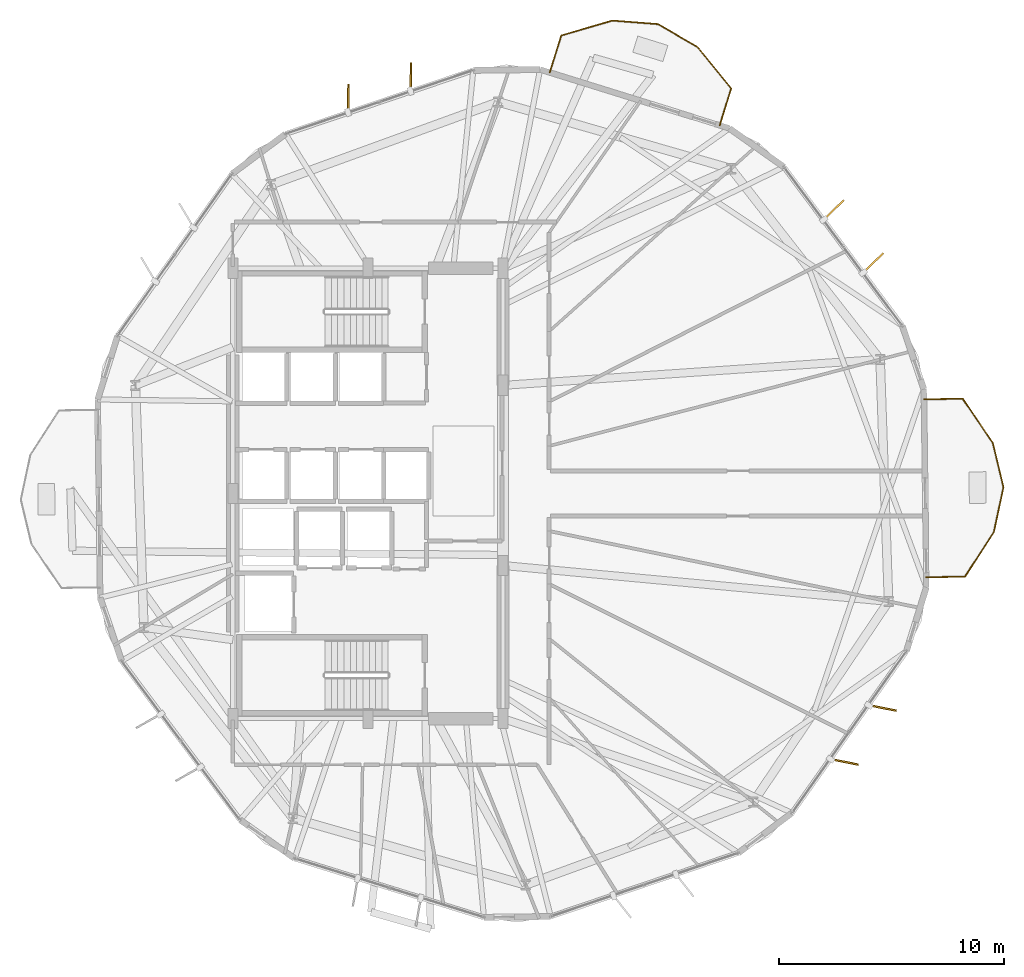
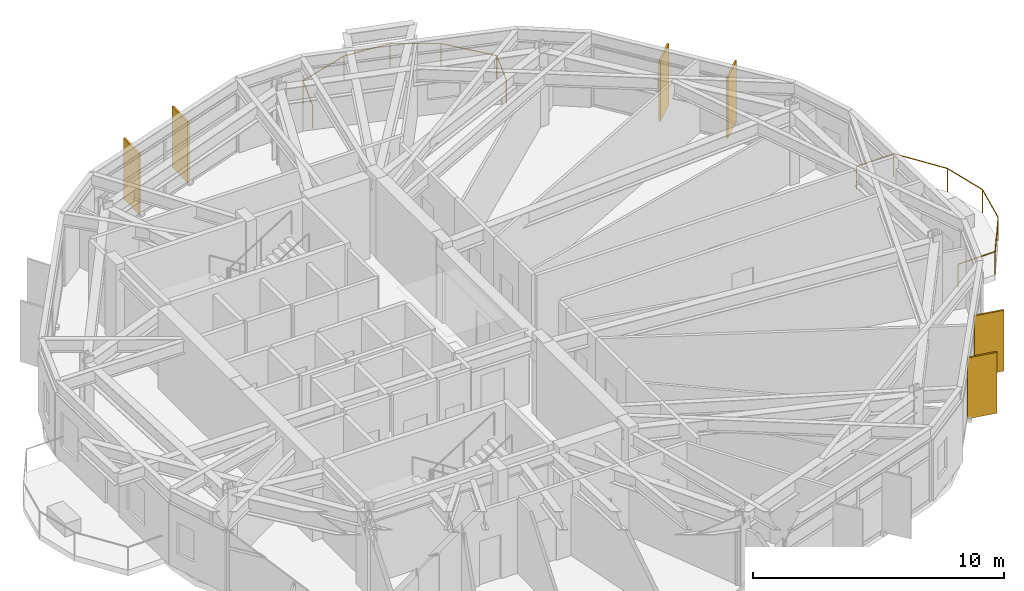
# One storey, part 25 of 25: 6 shading devices, 2 railings.
"""IFC4 building model written with IfcOpenShell, lengths in metres."""

from ifc_helpers import new_model, si_unit, direction, frame, origin, origin_2d, place, context, subcontext, project, spatial, rectangle, circle, extrude, material, layer, layer_set, type_object, element, save


model = new_model("IFC4")

# Units and contexts
model_context = context("Model", 3, precision=1e-05, world=origin(), true_north=direction((0.0, 1.0)))
body_context = subcontext(model_context, "Body", "Model", "MODEL_VIEW")
ifc_project = project(units=[si_unit("LENGTHUNIT", "METRE"), si_unit("AREAUNIT", "SQUARE_METRE"), si_unit("VOLUMEUNIT", "CUBIC_METRE"), si_unit("PLANEANGLEUNIT", "RADIAN"), si_unit("MASSUNIT", "GRAM", prefix="KILO")], contexts=[model_context])

# Site, building, storey
site_placement = place(None, origin())
site = spatial("IfcSite", under=ifc_project, at=site_placement, CompositionType="ELEMENT")
building_placement = place(site_placement, origin())
building = spatial("IfcBuilding", under=site, at=building_placement, Name="Soratama Intermodal Tower", CompositionType="ELEMENT")
storey_placement = place(building_placement, frame((0.0, 0.0, 106.89990234375)))
storey = spatial("IfcBuildingStorey", under=building, at=storey_placement, Name="L25", CompositionType="ELEMENT", Elevation=106.89990234375)

# Railings
ifc_material_1 = material(Name="Laminated glass and stainless steel balustrade", Category="steel")
railing_type = type_object("IfcRailingType", Name="RL-BAL-1150", PredefinedType="BALUSTRADE", material=ifc_material_1)
railing_1_placement = place(storey_placement, frame((63.30078125, 29.18359375, 0.0)))
element("IfcRailing", 1, at=railing_1_placement, inside=storey, type_object=railing_type, Name="L25 Balcony Balustrade 1", PredefinedType="BALUSTRADE", context=body_context, shape_type="SweptSolid", body=[
    extrude(circle(Radius=0.02392578125, at=origin_2d()), frame((0.0, 0.0, 1.1259765625), z_axis=(0.999921972836, 0.012491926975, 0.0), x_axis=(-0.012491926975, 0.999921972836, 0.0)), (0.0, 0.0, 1.0), 1.719970703125),
    extrude(circle(Radius=0.02392578125, at=origin_2d()), frame((1.7197265625, 0.021484375, 1.1259765625), z_axis=(0.563151558435, -0.826353630253, 0.0), x_axis=(0.826353630253, 0.563151558435, 0.0)), (0.0, 0.0, 1.0), 2.371826171875),
    extrude(circle(Radius=0.02392578125, at=origin_2d()), frame((3.055419921875, -1.9384765625, 1.1259765625), z_axis=(0.233796606619, -0.97228552737, 0.0), x_axis=(0.97228552737, 0.233796606619, 0.0)), (0.0, 0.0, 1.0), 2.02685546875),
    extrude(circle(Radius=0.02392578125, at=origin_2d()), frame((3.529296875, -3.9091796875, 1.1259765625), z_axis=(-0.209208289648, -0.977871101701, 0.0), x_axis=(0.977871101701, -0.209208289648, 0.0)), (0.0, 0.0, 1.0), 2.027099609375),
    extrude(circle(Radius=0.02392578125, at=origin_2d()), frame((3.105224609375, -5.891357421875, 1.1259765625), z_axis=(-0.542166727812, -0.840270932054, 0.0), x_axis=(0.840270932054, -0.542166727812, 0.0)), (0.0, 0.0, 1.0), 2.371826171875),
    extrude(circle(Radius=0.02392578125, at=origin_2d()), frame((1.8193359375, -7.88427734375, 1.1259765625), z_axis=(-0.999920212282, -0.012632065137, 0.0), x_axis=(0.012632065137, -0.999920212282, 0.0)), (0.0, 0.0, 1.0), 1.72021484375),
    extrude(circle(Radius=0.02099609375, at=origin_2d()), origin(), (0.0, 0.0, 1.0), 1.101806640625),
    extrude(circle(Radius=0.02099609375, at=origin_2d()), frame((1.7197265625, 0.021484375, 0.0)), (0.0, 0.0, 1.0), 1.101806640625),
    extrude(circle(Radius=0.02099609375, at=origin_2d()), frame((3.055419921875, -1.9384765625, 0.0)), (0.0, 0.0, 1.0), 1.101806640625),
    extrude(circle(Radius=0.02099609375, at=origin_2d()), frame((3.529296875, -3.9091796875, 0.0)), (0.0, 0.0, 1.0), 1.101806640625),
    extrude(circle(Radius=0.02099609375, at=origin_2d()), frame((3.105224609375, -5.891357421875, 0.0)), (0.0, 0.0, 1.0), 1.101806640625),
    extrude(circle(Radius=0.02099609375, at=origin_2d()), frame((1.8193359375, -7.88427734375, 0.0)), (0.0, 0.0, 1.0), 1.101806640625),
    extrude(circle(Radius=0.02099609375, at=origin_2d()), frame((0.099365234375, -7.906005859375, 0.0)), (0.0, 0.0, 1.0), 1.101806640625),
])
railing_2_placement = place(storey_placement, frame((46.676513671875, 43.69775390625, 0.0)))
element("IfcRailing", 2, at=railing_2_placement, inside=storey, type_object=railing_type, Name="L25 Balcony Balustrade 2", PredefinedType="BALUSTRADE", context=body_context, shape_type="SweptSolid", body=[
    extrude(circle(Radius=0.02392578125, at=origin_2d()), frame((0.0, 0.0, 1.1259765625), z_axis=(0.296957260843, 0.954890771362, 0.0), x_axis=(-0.954890771362, 0.296957260843, 0.0)), (0.0, 0.0, 1.0), 1.719970703125),
    extrude(circle(Radius=0.02392578125, at=origin_2d()), frame((0.5107421875, 1.642333984375, 1.1259765625), z_axis=(0.959919263508, 0.280276662506, 0.0), x_axis=(-0.280276662506, 0.959919263508, 0.0)), (0.0, 0.0, 1.0), 2.371826171875),
    extrude(circle(Radius=0.02392578125, at=origin_2d()), frame((2.78759765625, 2.30712890625, 1.1259765625), z_axis=(0.996940034483, -0.078170119896, 0.0), x_axis=(0.078170119896, 0.996940034483, 0.0)), (0.0, 0.0, 1.0), 2.02685546875),
    extrude(circle(Radius=0.02392578125, at=origin_2d()), frame((4.808349609375, 2.148681640625, 1.1259765625), z_axis=(0.865360310926, -0.501150209292, 0.0), x_axis=(0.501150209292, 0.865360310926, 0.0)), (0.0, 0.0, 1.0), 2.027099609375),
    extrude(circle(Radius=0.02392578125, at=origin_2d()), frame((6.5625, 1.1328125, 1.1259765625), z_axis=(0.631599630532, -0.775294722484, 0.0), x_axis=(0.775294722484, 0.631599630532, 0.0)), (0.0, 0.0, 1.0), 2.371826171875),
    extrude(circle(Radius=0.02392578125, at=origin_2d()), frame((8.060546875, -0.7060546875, 1.1259765625), z_axis=(-0.297086684062, -0.954850512988, 0.0), x_axis=(0.954850512988, -0.297086684062, 0.0)), (0.0, 0.0, 1.0), 1.719970703125),
    extrude(circle(Radius=0.02099609375, at=origin_2d()), origin(), (0.0, 0.0, 1.0), 1.101806640625),
    extrude(circle(Radius=0.02099609375, at=origin_2d()), frame((0.5107421875, 1.642333984375, 0.0)), (0.0, 0.0, 1.0), 1.101806640625),
    extrude(circle(Radius=0.02099609375, at=origin_2d()), frame((2.78759765625, 2.30712890625, 0.0)), (0.0, 0.0, 1.0), 1.101806640625),
    extrude(circle(Radius=0.02099609375, at=origin_2d()), frame((4.808349609375, 2.148681640625, 0.0)), (0.0, 0.0, 1.0), 1.101806640625),
    extrude(circle(Radius=0.02099609375, at=origin_2d()), frame((6.5625, 1.1328125, 0.0)), (0.0, 0.0, 1.0), 1.101806640625),
    extrude(circle(Radius=0.02099609375, at=origin_2d()), frame((8.060546875, -0.7060546875, 0.0)), (0.0, 0.0, 1.0), 1.101806640625),
    extrude(circle(Radius=0.02099609375, at=origin_2d()), frame((7.549560546875, -2.348388671875, 0.0)), (0.0, 0.0, 1.0), 1.101806640625),
])

# Shading devices
ifc_material_2 = material(Name="Champagne anodised aluminium solar fin", Category="aluminium")
ifc_layer = layer(ifc_material_2, 0.080078125)
ifc_layer_set = layer_set([ifc_layer], Name="Champagne anodised aluminium solar fin")
shading_device_type = type_object("IfcShadingDeviceType", Name="SH-FIN-1250", PredefinedType="USERDEFINED", material=ifc_layer_set)
for number, where, z_axis, x_axis, name in (
    (3, (61.05078125, 35.245361328125, 0.02001953125), (0.0, 0.0, 1.0), (0.717640284015, 0.696413973696, 0.0), "L25 Solar Fin F01-1"),
    (4, (59.29541015625, 37.598388671875, 0.02001953125), (0.0, 0.0, 1.0), (0.717640284015, 0.696413973696, 0.0), "L25 Solar Fin F01-2"),
    (5, (40.508056640625, 43.4970703125, 0.02001953125), (0.0, 0.0, 1.0), (0.012217000835, 0.99992536966, 0.0), "L25 Solar Fin F03-1"),
    (6, (37.727783203125, 42.554931640625, 0.02001953125), (0.0, 0.0, 1.0), (0.012217000835, 0.99992536966, 0.0), "L25 Solar Fin F03-2"),
    (7, (59.76611328125, 13.076171875, 0.02001953125), (0.0, 0.0, 1.0), (0.98068299691, -0.195603833222, 0.0), "L25 Solar Fin F09-1"),
    (8, (61.461669921875, 15.472412109375, 0.02001953125), (0.0, 0.0, 1.0), (0.98068299691, -0.195603833222, 0.0), "L25 Solar Fin F09-2"),
):
    element("IfcShadingDevice", number, at=place(storey_placement, frame(where, z_axis=z_axis, x_axis=x_axis)), inside=storey, type_object=shading_device_type, Name=name, ObjectType="FIN", PredefinedType="USERDEFINED", context=body_context, shape_type="SweptSolid", body=[
        extrude(rectangle(XDim=1.25, YDim=0.080078125, at=origin_2d()), origin(), (0.0, 0.0, 1.0), 2.958984375),
    ])

save(model, "model.ifc")
